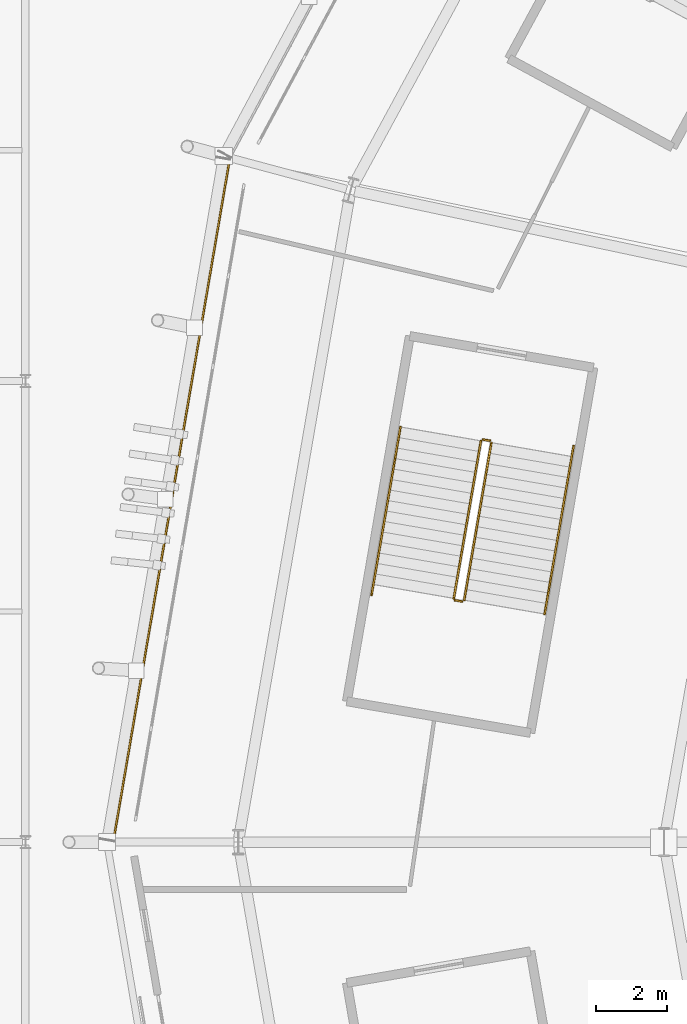
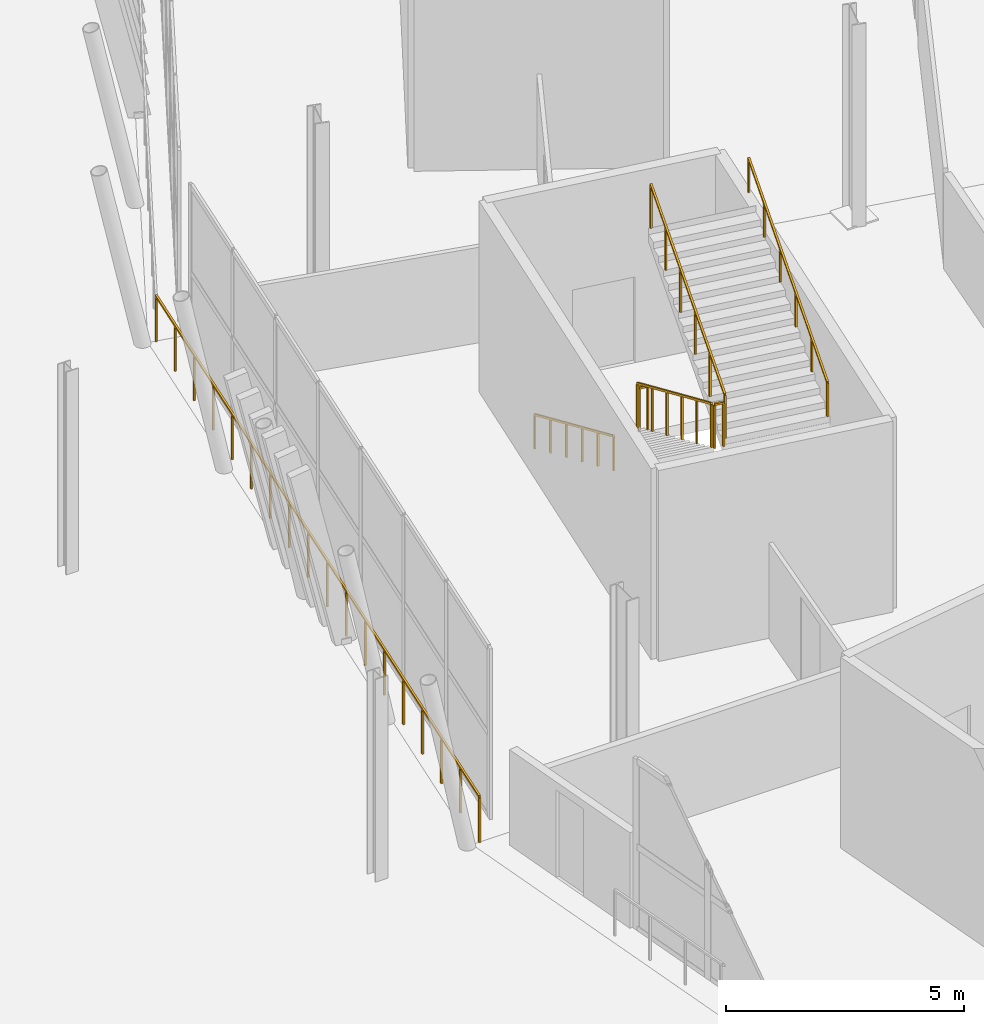
# One storey, part 148 of 168: 7 railings.
"""IFC4 building model written with IfcOpenShell, lengths in metres."""

import ifcopenshell
import ifcopenshell.guid

model = None  # the IFC model being written
_history = None  # IfcOwnerHistory: only IFC2X3 demands one
_inside = {}  # id of a spatial element -> (the spatial element, [elements in it])
_under = {}  # id of a project, library or spatial element -> (it, [spatial elements below it])
_declared = {}  # id of a project -> (the project, [libraries it declares])
_typed = {}  # id of a type object -> (the type object, [elements of that type])
_made_of = {}  # id of a material, layer set ... -> (it, [elements and type objects made of it])


def new_model(schema):
    """Start an empty IFC model of exactly this schema.

    Asked for "IFC4X3", IfcOpenShell would pick the latest addendum, in which some entities
    have other attributes; the version numbers below select the first issue.
    IFC2X3 requires an IfcOwnerHistory on every rooted entity: one is made here for all.
    """
    global model, _history
    if schema == "IFC4X3":
        model = ifcopenshell.file(schema_version=(4, 3, 0, 0))
    else:
        model = ifcopenshell.file(schema=schema)
    _inside.clear()
    _under.clear()
    _declared.clear()
    _typed.clear()
    _made_of.clear()
    _history = None
    if model.schema == "IFC2X3":
        org = make("IfcOrganization", Name="unknown")
        user = make(
            "IfcPersonAndOrganization",
            ThePerson=make("IfcPerson", FamilyName="unknown"),
            TheOrganization=org,
        )
        app = make(
            "IfcApplication",
            ApplicationDeveloper=org,
            Version="unknown",
            ApplicationFullName="unknown",
            ApplicationIdentifier="unknown",
        )
        _history = make(
            "IfcOwnerHistory",
            OwningUser=user,
            OwningApplication=app,
            ChangeAction="ADDED",
            CreationDate=0,
        )
    return model


def make(cls, **values):
    """One entity of the class cls with the attributes given. An attribute that is None is left unset."""
    return model.create_entity(
        cls, **{name: value for name, value in values.items() if value is not None}
    )


def rooted(cls, **values):
    """An entity with a GlobalId (a new one), such as an element, a storey or a relation."""
    return make(cls, GlobalId=ifcopenshell.guid.new(), OwnerHistory=_history, **values)


def si_unit(unit_type, name, prefix=None):
    """IfcSIUnit, for example si_unit("LENGTHUNIT", "METRE", prefix="MILLI")."""
    return make("IfcSIUnit", UnitType=unit_type, Prefix=prefix, Name=name)


def assignment(units):
    """IfcUnitAssignment: the units of a project."""
    return None if units is None else make("IfcUnitAssignment", Units=units)


def point(xyz):
    """IfcCartesianPoint."""
    return None if xyz is None else make("IfcCartesianPoint", Coordinates=xyz)


def direction(xyz):
    """IfcDirection."""
    return None if xyz is None else make("IfcDirection", DirectionRatios=xyz)


def frame(location, z_axis=None, x_axis=None):
    """IfcAxis2Placement3D, a coordinate frame: its origin and axes. An axis left out is left unset."""
    return make(
        "IfcAxis2Placement3D",
        Location=point(location),
        Axis=direction(z_axis),
        RefDirection=direction(x_axis),
    )


def frame_2d(location, x_axis=None):
    """IfcAxis2Placement2D, a coordinate frame in the plane: its origin and x axis."""
    return make(
        "IfcAxis2Placement2D", Location=point(location), RefDirection=direction(x_axis)
    )


def origin():
    """The frame at (0, 0, 0) with its axes left unset."""
    return frame((0.0, 0.0, 0.0))


def origin_2d():
    """The frame at (0, 0) in the plane with its x axis left unset."""
    return frame_2d((0.0, 0.0))


def place(relative_to, where):
    """IfcLocalPlacement: puts the frame where relative to a parent placement (None: the world)."""
    return make(
        "IfcLocalPlacement", PlacementRelTo=relative_to, RelativePlacement=where
    )


def context(
    kind, dimensions, precision=None, world=None, true_north=None, identifier=None
):
    """IfcGeometricRepresentationContext, for example the 3D "Model" context."""
    return make(
        "IfcGeometricRepresentationContext",
        ContextIdentifier=identifier,
        ContextType=kind,
        CoordinateSpaceDimension=dimensions,
        Precision=precision,
        WorldCoordinateSystem=world,
        TrueNorth=true_north,
    )


def subcontext(parent, identifier, kind, view, scale=None):
    """IfcGeometricRepresentationSubContext, for example "Body" below "Model"."""
    return make(
        "IfcGeometricRepresentationSubContext",
        ContextIdentifier=identifier,
        ContextType=kind,
        ParentContext=parent,
        TargetScale=scale,
        TargetView=view,
    )


def project(units=None, contexts=None):
    """IfcProject with its units and contexts."""
    return rooted(
        "IfcProject",
        Name="project",
        RepresentationContexts=contexts,
        UnitsInContext=assignment(units),
    )


def spatial(cls, under=None, at=None, **own):
    """A site, building, storey or space (cls), placed at a placement, below another one or the project."""
    s = rooted(cls, ObjectPlacement=at, **own)
    if under is not None:
        _under.setdefault(under.id(), (under, []))[1].append(s)
    return s


def profile(cls, at=None, kind="AREA", **sizes):
    """A parametric profile (cls). Its sizes go by their IFC names, for example OverallWidth=200.0."""
    return make(cls, ProfileType=kind, Position=at, **sizes)


def rectangle(**sizes):
    """IfcRectangleProfileDef."""
    return profile("IfcRectangleProfileDef", **sizes)


def extrude(swept, where, along, depth):
    """IfcExtrudedAreaSolid: the profile swept, set in the frame where, extruded along a direction by depth."""
    return make(
        "IfcExtrudedAreaSolid",
        SweptArea=swept,
        Position=where,
        ExtrudedDirection=direction(along),
        Depth=depth,
    )


def shape(context_of_items, identifier, shape_type, items):
    """IfcShapeRepresentation: the items that make up one representation, for example the "Body"."""
    return make(
        "IfcShapeRepresentation",
        ContextOfItems=context_of_items,
        RepresentationIdentifier=identifier,
        RepresentationType=shape_type,
        Items=items,
    )


def material(Name=None, Category=None):
    """IfcMaterial."""
    return make("IfcMaterial", Name=Name, Category=Category)


def made_of(thing, what):
    """Note that an element or type object is made of a material, layer set ...; save() writes the relation."""
    if what is not None:
        _made_of.setdefault(what.id(), (what, []))[1].append(thing)
    return thing


def type_object(cls, material=None, **own):
    """A type object (cls), such as IfcWallType, which elements share."""
    return made_of(rooted(cls, **own), material)


def element(
    cls,
    number,
    at=None,
    inside=None,
    cuts=None,
    type_object=None,
    material=None,
    context=None,
    identifier="Body",
    shape_type=None,
    held_by="IfcProductDefinitionShape",
    body=None,
    shapes=None,
    **own,
):
    """One element of the class cls, such as IfcWall. Its Tag is "e" and its number.

    at: its placement. inside: the storey or other place that contains it. cuts: it is an
    opening in that element (IfcRelVoidsElement). A single representation is given by context,
    identifier, shape_type and body (its items); several are given by shapes. held_by: the class
    of the entity that holds the representations. save() writes the other relations.
    """
    e = rooted(cls, Tag="e%d" % number, ObjectPlacement=at, **own)
    if body is not None:
        shapes = [shape(context, identifier, shape_type, body)]
    if shapes is not None:
        e.Representation = make(held_by, Representations=shapes)
    if inside is not None:
        _inside.setdefault(inside.id(), (inside, []))[1].append(e)
    if cuts is not None:
        rooted(
            "IfcRelVoidsElement", RelatingBuildingElement=cuts, RelatedOpeningElement=e
        )
    if type_object is not None:
        _typed.setdefault(type_object.id(), (type_object, []))[1].append(e)
    return made_of(e, material)


def aggregate(whole, parts):
    """IfcRelAggregates: a whole, such as a stair, and the parts it consists of."""
    return rooted("IfcRelAggregates", RelatingObject=whole, RelatedObjects=parts)


def save(model, path):
    """Write the relations noted so far, then the file.

    IfcRelAggregates (storeys below a building ...), IfcRelContainedInSpatialStructure (elements
    in a storey), IfcRelDefinesByType, IfcRelAssociatesMaterial and IfcRelDeclares: one each for
    every whole, place, type object, material and project.
    """
    for whole, parts in _under.values():
        aggregate(whole, parts)
    for where, things in _inside.values():
        rooted(
            "IfcRelContainedInSpatialStructure",
            RelatedElements=things,
            RelatingStructure=where,
        )
    for kind, things in _typed.values():
        rooted("IfcRelDefinesByType", RelatedObjects=things, RelatingType=kind)
    for what, things in _made_of.values():
        rooted("IfcRelAssociatesMaterial", RelatedObjects=things, RelatingMaterial=what)
    for by, libraries in _declared.values():
        rooted("IfcRelDeclares", RelatingContext=by, RelatedDefinitions=libraries)
    model.write(path)


model = new_model("IFC4")

# Units and contexts
model_context = context("Model", 3, precision=1e-05, world=origin(), true_north=direction((0.0, 1.0)))
body_context = subcontext(model_context, "Body", "Model", "MODEL_VIEW")
ifc_project = project(units=[si_unit("LENGTHUNIT", "METRE"), si_unit("AREAUNIT", "SQUARE_METRE"), si_unit("VOLUMEUNIT", "CUBIC_METRE"), si_unit("PLANEANGLEUNIT", "RADIAN"), si_unit("MASSUNIT", "GRAM", prefix="KILO")], contexts=[model_context])

# Site, building, storey
site_placement = place(None, origin())
site = spatial("IfcSite", under=ifc_project, at=site_placement, CompositionType="ELEMENT")
building_placement = place(site_placement, origin())
building = spatial("IfcBuilding", under=site, at=building_placement, Name="Zlatoyarsky Gate Stadium", CompositionType="ELEMENT")
storey_placement = place(building_placement, frame((0.0, 0.0, 15.60009765625)))
storey = spatial("IfcBuildingStorey", under=building, at=storey_placement, Name="L03", CompositionType="ELEMENT", Elevation=15.60009765625)

# Railings
ifc_material_1 = material(Name="Powder-coated steel tubular guardrail", Category="steel")
railing_type_1 = type_object("IfcRailingType", Name="CONCOURSE SLAB EDGE GUARDRAIL 1200", PredefinedType="GUARDRAIL", material=ifc_material_1)
railing_1_placement = place(storey_placement, frame((17.7666015625, 99.287841796875, 0.0)))
element("IfcRailing", 1, at=railing_1_placement, inside=storey, type_object=railing_type_1, Name="L03 outer slab edge guardrail 11", PredefinedType="GUARDRAIL", context=body_context, shape_type="SweptSolid", body=[
    extrude(rectangle(XDim=0.048095703125, YDim=0.048095703125, at=origin_2d()), frame((0.0, 0.0, 1.17578125), z_axis=(-0.168086502679, -0.985772249364, 0.0), x_axis=(0.985772249364, -0.168086502679, 0.0)), (0.0, 0.0, 1.0), 19.566162109375),
    extrude(rectangle(XDim=0.0419921875, YDim=0.0419921875, at=origin_2d()), origin(), (0.0, 0.0, 1.0), 1.15185546875),
    extrude(rectangle(XDim=0.0419921875, YDim=0.0419921875, at=origin_2d()), frame((-0.193359375, -1.134521484375, 0.0)), (0.0, 0.0, 1.0), 1.15185546875),
    extrude(rectangle(XDim=0.0419921875, YDim=0.0419921875, at=origin_2d()), frame((-0.386962890625, -2.26904296875, 0.0)), (0.0, 0.0, 1.0), 1.15185546875),
    extrude(rectangle(XDim=0.0419921875, YDim=0.0419921875, at=origin_2d()), frame((-0.580322265625, -3.40380859375, 0.0)), (0.0, 0.0, 1.0), 1.15185546875),
    extrude(rectangle(XDim=0.0419921875, YDim=0.0419921875, at=origin_2d()), frame((-0.77392578125, -4.538330078125, 0.0)), (0.0, 0.0, 1.0), 1.15185546875),
    extrude(rectangle(XDim=0.0419921875, YDim=0.0419921875, at=origin_2d()), frame((-0.96728515625, -5.6728515625, 0.0)), (0.0, 0.0, 1.0), 1.15185546875),
    extrude(rectangle(XDim=0.0419921875, YDim=0.0419921875, at=origin_2d()), frame((-1.16064453125, -6.807373046875, 0.0)), (0.0, 0.0, 1.0), 1.15185546875),
    extrude(rectangle(XDim=0.0419921875, YDim=0.0419921875, at=origin_2d()), frame((-1.354248046875, -7.942138671875, 0.0)), (0.0, 0.0, 1.0), 1.15185546875),
    extrude(rectangle(XDim=0.0419921875, YDim=0.0419921875, at=origin_2d()), frame((-1.547607421875, -9.07666015625, 0.0)), (0.0, 0.0, 1.0), 1.15185546875),
    extrude(rectangle(XDim=0.0419921875, YDim=0.0419921875, at=origin_2d()), frame((-1.7412109375, -10.211181640625, 0.0)), (0.0, 0.0, 1.0), 1.15185546875),
    extrude(rectangle(XDim=0.0419921875, YDim=0.0419921875, at=origin_2d()), frame((-1.9345703125, -11.345703125, 0.0)), (0.0, 0.0, 1.0), 1.15185546875),
    extrude(rectangle(XDim=0.0419921875, YDim=0.0419921875, at=origin_2d()), frame((-2.128173828125, -12.48046875, 0.0)), (0.0, 0.0, 1.0), 1.15185546875),
    extrude(rectangle(XDim=0.0419921875, YDim=0.0419921875, at=origin_2d()), frame((-2.321533203125, -13.614990234375, 0.0)), (0.0, 0.0, 1.0), 1.15185546875),
    extrude(rectangle(XDim=0.0419921875, YDim=0.0419921875, at=origin_2d()), frame((-2.514892578125, -14.74951171875, 0.0)), (0.0, 0.0, 1.0), 1.15185546875),
    extrude(rectangle(XDim=0.0419921875, YDim=0.0419921875, at=origin_2d()), frame((-2.70849609375, -15.884033203125, 0.0)), (0.0, 0.0, 1.0), 1.15185546875),
    extrude(rectangle(XDim=0.0419921875, YDim=0.0419921875, at=origin_2d()), frame((-2.90185546875, -17.018798828125, 0.0)), (0.0, 0.0, 1.0), 1.15185546875),
    extrude(rectangle(XDim=0.0419921875, YDim=0.0419921875, at=origin_2d()), frame((-3.095458984375, -18.1533203125, 0.0)), (0.0, 0.0, 1.0), 1.15185546875),
    extrude(rectangle(XDim=0.0419921875, YDim=0.0419921875, at=origin_2d()), frame((-3.288818359375, -19.287841796875, 0.0)), (0.0, 0.0, 1.0), 1.15185546875),
])
ifc_material_2 = material(Name="Powder-coated steel stair guardrail", Category="steel")
railing_type_2 = type_object("IfcRailingType", Name="PAINTED STEEL STAIR WELL GUARDRAIL 1150", PredefinedType="GUARDRAIL", material=ifc_material_2)
railing_2_placement = place(storey_placement, frame((24.841064453125, 91.30859375, 0.162353515625)))
element("IfcRailing", 2, at=railing_2_placement, inside=storey, type_object=railing_type_2, Name="ST-18 L03 stair guard 1", PredefinedType="GUARDRAIL", context=body_context, shape_type="SweptSolid", body=[
    extrude(rectangle(XDim=0.048095703125, YDim=0.048095703125, at=origin_2d()), frame((0.0, 0.0, 1.1259765625), z_axis=(-0.149410651291, -0.866505450206, 0.476282229402), x_axis=(0.985457609709, -0.16992145087, 0.0)), (0.0, 0.0, 1.0), 5.11767578125),
    extrude(rectangle(XDim=0.0419921875, YDim=0.0419921875, at=origin_2d()), origin(), (0.0, 0.0, 1.0), 1.101806640625),
    extrude(rectangle(XDim=0.0419921875, YDim=0.0419921875, at=origin_2d()), frame((-0.15283203125, -0.886962890625, 0.487548828125)), (0.0, 0.0, 1.0), 1.101806640625),
    extrude(rectangle(XDim=0.0419921875, YDim=0.0419921875, at=origin_2d()), frame((-0.305908203125, -1.77392578125, 0.97509765625)), (0.0, 0.0, 1.0), 1.101806640625),
    extrude(rectangle(XDim=0.0419921875, YDim=0.0419921875, at=origin_2d()), frame((-0.458740234375, -2.66064453125, 1.46240234375)), (0.0, 0.0, 1.0), 1.101806640625),
    extrude(rectangle(XDim=0.0419921875, YDim=0.0419921875, at=origin_2d()), frame((-0.61181640625, -3.547607421875, 1.949951171875)), (0.0, 0.0, 1.0), 1.101806640625),
    extrude(rectangle(XDim=0.0419921875, YDim=0.0419921875, at=origin_2d()), frame((-0.7646484375, -4.4345703125, 2.4375)), (0.0, 0.0, 1.0), 1.101806640625),
])
railing_3_placement = place(storey_placement, frame((24.1171875, 86.81640625, 2.599853515625)))
element("IfcRailing", 3, at=railing_3_placement, inside=storey, type_object=railing_type_2, Name="ST-18 L03 stair guard 2", PredefinedType="GUARDRAIL", context=body_context, shape_type="SweptSolid", body=[
    extrude(rectangle(XDim=0.048095703125, YDim=0.048095703125, at=origin_2d()), frame((0.0, 0.0, 1.1259765625), z_axis=(0.985488304827, -0.16974333875, 0.0), x_axis=(0.16974333875, 0.985488304827, 0.0)), (0.0, 0.0, 1.0), 0.199951171875),
    extrude(rectangle(XDim=0.0419921875, YDim=0.0419921875, at=origin_2d()), origin(), (0.0, 0.0, 1.0), 1.101806640625),
    extrude(rectangle(XDim=0.0419921875, YDim=0.0419921875, at=origin_2d()), frame((0.197021484375, -0.033935546875, 0.0)), (0.0, 0.0, 1.0), 1.101806640625),
])
railing_4_placement = place(storey_placement, frame((24.3720703125, 86.8232421875, 2.762451171875)))
element("IfcRailing", 4, at=railing_4_placement, inside=storey, type_object=railing_type_2, Name="ST-18 L03 stair guard 3", PredefinedType="GUARDRAIL", context=body_context, shape_type="SweptSolid", body=[
    extrude(rectangle(XDim=0.048095703125, YDim=0.048095703125, at=origin_2d()), frame((0.0, 0.0, 1.1259765625), z_axis=(0.149410651291, 0.866505450206, 0.476282229402), x_axis=(-0.985457609709, 0.16992145087, 0.0)), (0.0, 0.0, 1.0), 5.11767578125),
    extrude(rectangle(XDim=0.0419921875, YDim=0.0419921875, at=origin_2d()), origin(), (0.0, 0.0, 1.0), 1.101806640625),
    extrude(rectangle(XDim=0.0419921875, YDim=0.0419921875, at=origin_2d()), frame((0.15283203125, 0.886962890625, 0.487548828125)), (0.0, 0.0, 1.0), 1.101806640625),
    extrude(rectangle(XDim=0.0419921875, YDim=0.0419921875, at=origin_2d()), frame((0.305908203125, 1.77392578125, 0.97509765625)), (0.0, 0.0, 1.0), 1.101806640625),
    extrude(rectangle(XDim=0.0419921875, YDim=0.0419921875, at=origin_2d()), frame((0.458740234375, 2.66064453125, 1.46240234375)), (0.0, 0.0, 1.0), 1.101806640625),
    extrude(rectangle(XDim=0.0419921875, YDim=0.0419921875, at=origin_2d()), frame((0.61181640625, 3.547607421875, 1.949951171875)), (0.0, 0.0, 1.0), 1.101806640625),
    extrude(rectangle(XDim=0.0419921875, YDim=0.0419921875, at=origin_2d()), frame((0.7646484375, 4.4345703125, 2.4375)), (0.0, 0.0, 1.0), 1.101806640625),
])
railing_5_placement = place(storey_placement, frame((24.89892578125, 91.349365234375, 0.0)))
element("IfcRailing", 5, at=railing_5_placement, inside=storey, type_object=railing_type_2, Name="ST-18 L03 stair guard 4", PredefinedType="GUARDRAIL", context=body_context, shape_type="SweptSolid", body=[
    extrude(rectangle(XDim=0.048095703125, YDim=0.048095703125, at=origin_2d()), frame((0.0, 0.0, 1.1259765625), z_axis=(0.985488304827, -0.16974333875, 0.0), x_axis=(0.16974333875, 0.985488304827, 0.0)), (0.0, 0.0, 1.0), 0.199951171875),
    extrude(rectangle(XDim=0.0419921875, YDim=0.0419921875, at=origin_2d()), origin(), (0.0, 0.0, 1.0), 1.101806640625),
    extrude(rectangle(XDim=0.0419921875, YDim=0.0419921875, at=origin_2d()), frame((0.197021484375, -0.033935546875, 0.0)), (0.0, 0.0, 1.0), 1.101806640625),
])
ifc_material_3 = material(Name="Brushed stainless steel 316 handrail", Category="steel")
railing_type_3 = type_object("IfcRailingType", Name="STAINLESS STEEL TUBULAR HANDRAIL 900", PredefinedType="HANDRAIL", material=ifc_material_3)
railing_6_placement = place(storey_placement, frame((22.574462890625, 91.699462890625, 0.16650390625)))
element("IfcRailing", 6, at=railing_6_placement, inside=storey, type_object=railing_type_3, Name="ST-18 L03 stair handrail 1", PredefinedType="HANDRAIL", context=body_context, shape_type="SweptSolid", body=[
    extrude(rectangle(XDim=0.048095703125, YDim=0.048095703125, at=origin_2d()), frame((0.0, 0.0, 0.8759765625), z_axis=(-0.149420919788, -0.866516109218, 0.476259615332), x_axis=(0.985456004189, -0.169930761806, 0.0)), (0.0, 0.0, 1.0), 5.458984375),
    extrude(rectangle(XDim=0.0419921875, YDim=0.0419921875, at=origin_2d()), origin(), (0.0, 0.0, 1.0), 0.851806640625),
    extrude(rectangle(XDim=0.0419921875, YDim=0.0419921875, at=origin_2d()), frame((-0.1630859375, -0.946044921875, 0.52001953125)), (0.0, 0.0, 1.0), 0.851806640625),
    extrude(rectangle(XDim=0.0419921875, YDim=0.0419921875, at=origin_2d()), frame((-0.326171875, -1.89208984375, 1.0400390625)), (0.0, 0.0, 1.0), 0.851806640625),
    extrude(rectangle(XDim=0.0419921875, YDim=0.0419921875, at=origin_2d()), frame((-0.489501953125, -2.838134765625, 1.559814453125)), (0.0, 0.0, 1.0), 0.851806640625),
    extrude(rectangle(XDim=0.0419921875, YDim=0.0419921875, at=origin_2d()), frame((-0.652587890625, -3.7841796875, 2.079833984375)), (0.0, 0.0, 1.0), 0.851806640625),
    extrude(rectangle(XDim=0.0419921875, YDim=0.0419921875, at=origin_2d()), frame((-0.815673828125, -4.730224609375, 2.599853515625)), (0.0, 0.0, 1.0), 0.851806640625),
])
railing_7_placement = place(storey_placement, frame((26.638427734375, 86.432373046875, 2.766357421875)))
element("IfcRailing", 7, at=railing_7_placement, inside=storey, type_object=railing_type_3, Name="ST-18 L03 stair handrail 2", PredefinedType="HANDRAIL", context=body_context, shape_type="SweptSolid", body=[
    extrude(rectangle(XDim=0.048095703125, YDim=0.048095703125, at=origin_2d()), frame((0.0, 0.0, 0.8759765625), z_axis=(0.149461460644, 0.866491861156, 0.476291010132), x_axis=(-0.985447485669, 0.169980154689, 0.0)), (0.0, 0.0, 1.0), 5.458984375),
    extrude(rectangle(XDim=0.0419921875, YDim=0.0419921875, at=origin_2d()), origin(), (0.0, 0.0, 1.0), 0.851806640625),
    extrude(rectangle(XDim=0.0419921875, YDim=0.0419921875, at=origin_2d()), frame((0.1630859375, 0.946044921875, 0.52001953125)), (0.0, 0.0, 1.0), 0.851806640625),
    extrude(rectangle(XDim=0.0419921875, YDim=0.0419921875, at=origin_2d()), frame((0.326416015625, 1.89208984375, 1.0400390625)), (0.0, 0.0, 1.0), 0.851806640625),
    extrude(rectangle(XDim=0.0419921875, YDim=0.0419921875, at=origin_2d()), frame((0.489501953125, 2.838134765625, 1.56005859375)), (0.0, 0.0, 1.0), 0.851806640625),
    extrude(rectangle(XDim=0.0419921875, YDim=0.0419921875, at=origin_2d()), frame((0.65283203125, 3.7841796875, 2.080078125)), (0.0, 0.0, 1.0), 0.851806640625),
    extrude(rectangle(XDim=0.0419921875, YDim=0.0419921875, at=origin_2d()), frame((0.81591796875, 4.730224609375, 2.60009765625)), (0.0, 0.0, 1.0), 0.851806640625),
])

save(model, "model.ifc")
